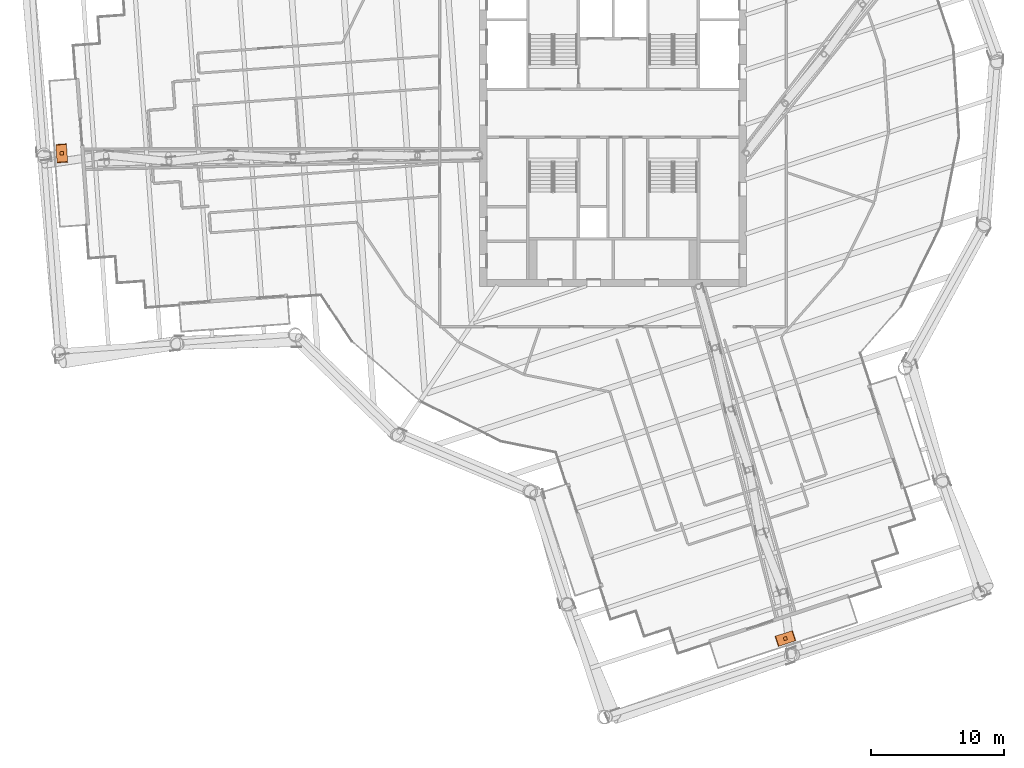
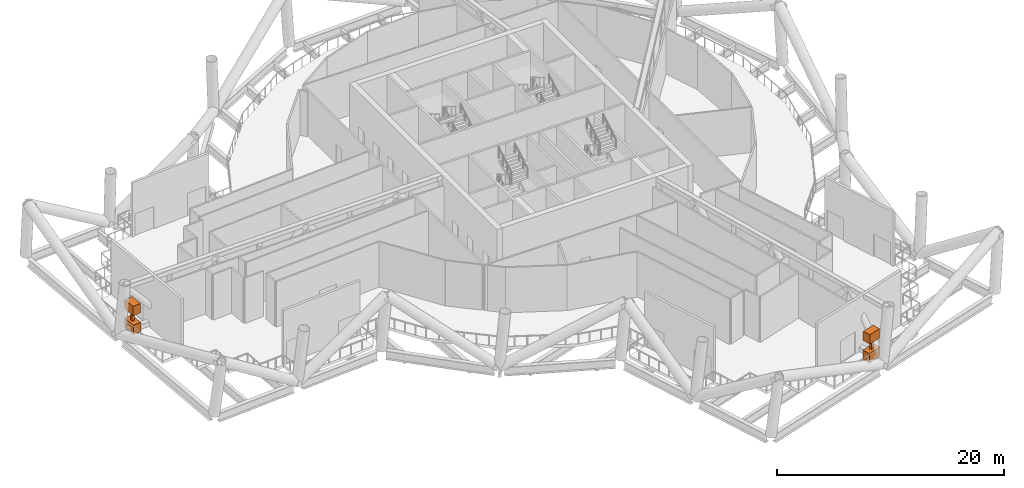
# One storey, part 33 of 33: 6 proxies.
"""IFC4 building model written with IfcOpenShell, lengths in metres."""

from ifc_helpers import new_model, si_unit, direction, frame, origin, origin_2d, place, context, subcontext, project, spatial, rectangle, extrude, material, type_object, element, save


model = new_model("IFC4")

# Units and contexts
model_context = context("Model", 3, precision=1e-05, world=origin(), true_north=direction((0.0, 1.0)))
body_context = subcontext(model_context, "Body", "Model", "MODEL_VIEW")
ifc_project = project(units=[si_unit("LENGTHUNIT", "METRE"), si_unit("AREAUNIT", "SQUARE_METRE"), si_unit("VOLUMEUNIT", "CUBIC_METRE"), si_unit("PLANEANGLEUNIT", "RADIAN"), si_unit("MASSUNIT", "GRAM", prefix="KILO")], contexts=[model_context])

# Site, building, storey
site_placement = place(None, origin())
site = spatial("IfcSite", under=ifc_project, at=site_placement, CompositionType="ELEMENT")
building_placement = place(site_placement, origin())
building = spatial("IfcBuilding", under=site, at=building_placement, Name="Tarsis Ring Headquarters", CompositionType="ELEMENT")
storey_placement = place(building_placement, frame((0.0, 0.0, 302.0)))
storey = spatial("IfcBuildingStorey", under=building, at=storey_placement, Name="L71", CompositionType="ELEMENT", Elevation=302.0)

# Proxies
ifc_material_1 = material(Name="Tree canopy foliage")
building_element_proxy_type_1 = type_object("IfcBuildingElementProxyType", Name="Tree canopy", PredefinedType="USERDEFINED", material=ifc_material_1)
for number, where, z_axis, x_axis, name in (
    (1, (12.918701171875, -39.38525390625, 2.0), (0.0, 0.0, 1.0), (0.950189876352, 0.311671620264, 0.0), "Tree canopy L71-11.2"),
    (2, (-41.3408203125, -3.0068359375, 2.0), (0.0, 0.0, 1.0), (0.072541939892, -0.997365362822, 0.0), "Tree canopy L71-36.2"),
):
    element("IfcBuildingElementProxy", number, at=place(storey_placement, frame(where, z_axis=z_axis, x_axis=x_axis)), inside=storey, type_object=building_element_proxy_type_1, Name=name, ObjectType="Tree canopy", PredefinedType="USERDEFINED", context=body_context, shape_type="SweptSolid", body=[
        extrude(rectangle(XDim=1.300048828125, YDim=0.800048828125, at=origin_2d()), origin(), (0.0, 0.0, 1.0), 1.0),
    ])
ifc_material_2 = material(Name="Planter soil mix and tree")
building_element_proxy_type_2 = type_object("IfcBuildingElementProxyType", Name="Tree planter", PredefinedType="USERDEFINED", material=ifc_material_2)
for number, where, z_axis, x_axis, name in (
    (3, (12.918701171875, -39.38525390625, 0.0), (0.0, 0.0, 1.0), (0.950189876352, 0.311671620264, 0.0), "Tree planter L71-11.2"),
    (4, (-41.3408203125, -3.0068359375, 0.0), (0.0, 0.0, 1.0), (0.072541939892, -0.997365362822, 0.0), "Tree planter L71-36.2"),
):
    element("IfcBuildingElementProxy", number, at=place(storey_placement, frame(where, z_axis=z_axis, x_axis=x_axis)), inside=storey, type_object=building_element_proxy_type_2, Name=name, ObjectType="Planter", PredefinedType="USERDEFINED", context=body_context, shape_type="SweptSolid", body=[
        extrude(rectangle(XDim=1.39990234375, YDim=0.800048828125, at=origin_2d()), origin(), (0.0, 0.0, 1.0), 1.0),
    ])
ifc_material_3 = material(Name="Tree trunk timber", Category="wood")
building_element_proxy_type_3 = type_object("IfcBuildingElementProxyType", Name="Tree trunk", PredefinedType="USERDEFINED", material=ifc_material_3)
for number, where, z_axis, x_axis, name in (
    (5, (12.918701171875, -39.38525390625, 1.0), (0.0, 0.0, 1.0), (0.950189876352, 0.311671620264, 0.0), "Tree trunk L71-11.2"),
    (6, (-41.3408203125, -3.0068359375, 1.0), (0.0, 0.0, 1.0), (0.072541939892, -0.997365362822, 0.0), "Tree trunk L71-36.2"),
):
    element("IfcBuildingElementProxy", number, at=place(storey_placement, frame(where, z_axis=z_axis, x_axis=x_axis)), inside=storey, type_object=building_element_proxy_type_3, Name=name, ObjectType="Tree trunk", PredefinedType="USERDEFINED", context=body_context, shape_type="SweptSolid", body=[
        extrude(rectangle(XDim=0.25, YDim=0.25, at=origin_2d()), origin(), (0.0, 0.0, 1.0), 1.0),
    ])

save(model, "model.ifc")
